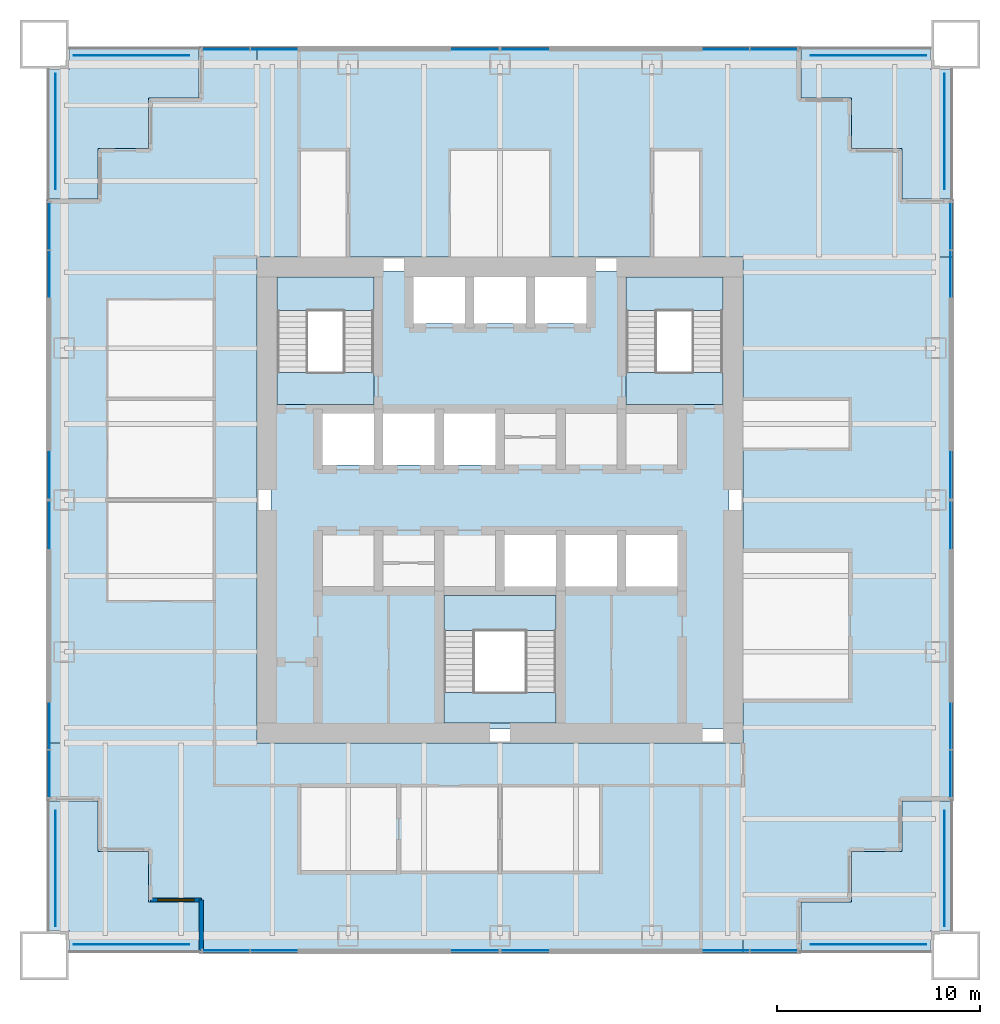
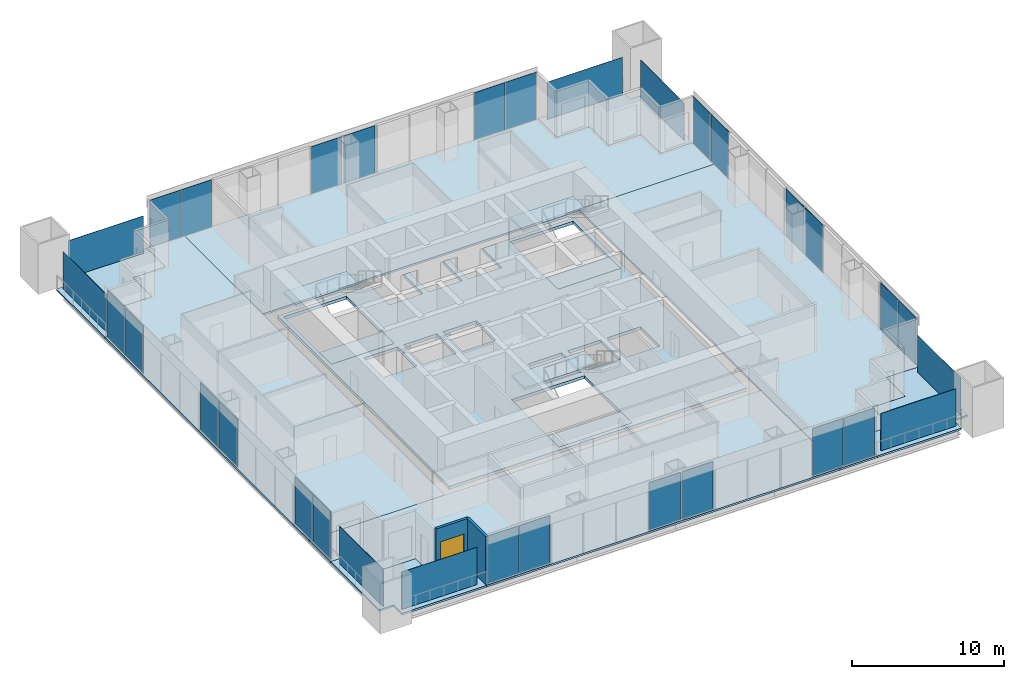
# One storey, part 7 of 13: 32 plates, 15 slabs, 2 walls, 1 window, 1 opening, 19 elements without a shape of their own.
"""IFC4 building model written with IfcOpenShell, lengths in metres."""

from ifc_helpers import new_model, si_unit, direction, frame, frame_2d, origin, origin_2d, place, context, subcontext, project, spatial, polyline, rectangle, outline, extrude, material, layer, layer_set, type_object, element, fill, aggregate, save


model = new_model("IFC4")

# Units and contexts
model_context = context("Model", 3, precision=1e-05, world=origin(), true_north=direction((0.0, 1.0)))
body_context = subcontext(model_context, "Body", "Model", "MODEL_VIEW")
ifc_project = project(units=[si_unit("LENGTHUNIT", "METRE"), si_unit("AREAUNIT", "SQUARE_METRE"), si_unit("VOLUMEUNIT", "CUBIC_METRE"), si_unit("PLANEANGLEUNIT", "RADIAN"), si_unit("MASSUNIT", "GRAM", prefix="KILO")], contexts=[model_context])

# Site, building, storey
site_placement = place(None, origin())
site = spatial("IfcSite", under=ifc_project, at=site_placement, CompositionType="ELEMENT")
building_placement = place(site_placement, origin())
building = spatial("IfcBuilding", under=site, at=building_placement, Name="Tarangal Relay Tower", CompositionType="ELEMENT")
storey_placement = place(building_placement, frame((0.0, 0.0, 237.89990234375)))
storey = spatial("IfcBuildingStorey", under=building, at=storey_placement, Name="L51", CompositionType="ELEMENT", Elevation=237.89990234375)

# Slabs
ifc_material_1 = material(Name="Concrete fc' 35 MPa", Category="concrete")
ifc_layer_1 = layer(ifc_material_1, 0.25)
ifc_layer_set_1 = layer_set([ifc_layer_1], Name="Core floor slab 250")
slab_type_1 = type_object("IfcSlabType", Name="Core floor slab 250", PredefinedType="FLOOR", material=ifc_layer_set_1)
slab_1_placement = place(storey_placement, frame((0.0, 0.0, -0.25)))
element("IfcSlab", 1, at=slab_1_placement, inside=storey, type_object=slab_type_1, Name="Core floor slab L51", PredefinedType="FLOOR", context=body_context, shape_type="SweptSolid", body=[
    extrude(outline(polyline([(11.300048828125, 11.300048828125), (11.300048828125, -11.300048828125), (-11.300048828125, -11.300048828125), (-11.300048828125, 11.300048828125), (-4.27490234375, 11.300048828125), (-4.27490234375, 8.72509765625), (-1.72509765625, 8.72509765625), (-1.72509765625, 11.300048828125), (-1.27490234375, 11.300048828125), (-1.27490234375, 8.72509765625), (1.27490234375, 8.72509765625), (1.27490234375, 11.300048828125), (1.72509765625, 11.300048828125), (1.72509765625, 8.72509765625), (4.27490234375, 8.72509765625), (4.27490234375, 11.300048828125), (11.300048828125, 11.300048828125)]), holes=[polyline([(-6.22509765625, 4.27490234375), (-8.77490234375, 4.27490234375), (-8.77490234375, 1.72509765625), (-6.22509765625, 1.72509765625), (-6.22509765625, 4.27490234375)]), polyline([(-3.22509765625, 1.72509765625), (-3.22509765625, 4.27490234375), (-5.77490234375, 4.27490234375), (-5.77490234375, 1.72509765625), (-3.22509765625, 1.72509765625)]), polyline([(-0.22509765625, 1.72509765625), (-0.22509765625, 4.27490234375), (-2.77490234375, 4.27490234375), (-2.77490234375, 1.72509765625), (-0.22509765625, 1.72509765625)]), polyline([(-6.22509765625, 11.0), (-11.0, 11.0), (-11.0, 4.72509765625), (-6.22509765625, 4.72509765625), (-6.22509765625, 11.0)]), polyline([(2.77490234375, -4.72509765625), (-2.77490234375, -4.72509765625), (-2.77490234375, -11.0), (2.77490234375, -11.0), (2.77490234375, -4.72509765625)]), polyline([(2.77490234375, -4.27490234375), (2.77490234375, -1.72509765625), (0.22509765625, -1.72509765625), (0.22509765625, -4.27490234375), (2.77490234375, -4.27490234375)]), polyline([(5.77490234375, -4.27490234375), (5.77490234375, -1.72509765625), (3.22509765625, -1.72509765625), (3.22509765625, -4.27490234375), (5.77490234375, -4.27490234375)]), polyline([(8.77490234375, -1.72509765625), (6.22509765625, -1.72509765625), (6.22509765625, -4.27490234375), (8.77490234375, -4.27490234375), (8.77490234375, -1.72509765625)]), polyline([(11.0, 4.72509765625), (11.0, 11.0), (6.22509765625, 11.0), (6.22509765625, 4.72509765625), (11.0, 4.72509765625)])]), origin(), (0.0, 0.0, 1.0), 0.25),
])
ifc_layer_2 = layer(ifc_material_1, 0.14990234375)
ifc_layer_set_2 = layer_set([ifc_layer_2], Name="Floor slab 150")
slab_type_2 = type_object("IfcSlabType", Name="Floor slab 150", PredefinedType="FLOOR", material=ifc_layer_set_2)
slab_2_placement = place(storey_placement, frame((0.0, 0.0, -0.14990234375)))
element("IfcSlab", 2, at=slab_2_placement, inside=storey, type_object=slab_type_2, Name="Floor slab FS3 L51 north bay", PredefinedType="FLOOR", context=body_context, shape_type="SweptSolid", body=[
    extrude(outline(polyline([(14.85009765625, 22.35009765625), (14.85009765625, 19.85009765625), (17.35009765625, 19.85009765625), (17.35009765625, 17.35009765625), (19.85009765625, 17.35009765625), (19.85009765625, 14.85009765625), (22.35009765625, 14.85009765625), (22.35009765625, 12.0), (-12.0, 12.0), (-12.0, 22.35009765625), (14.85009765625, 22.35009765625)])), origin(), (0.0, 0.0, 1.0), 0.14990234375),
])
slab_3_placement = place(storey_placement, frame((0.0, 0.0, -0.14990234375)))
element("IfcSlab", 3, at=slab_3_placement, inside=storey, type_object=slab_type_2, Name="Floor slab FS3 L51 east bay", PredefinedType="FLOOR", context=body_context, shape_type="SweptSolid", body=[
    extrude(outline(polyline([(22.35009765625, -14.85009765625), (19.85009765625, -14.85009765625), (19.85009765625, -17.35009765625), (17.35009765625, -17.35009765625), (17.35009765625, -19.85009765625), (14.85009765625, -19.85009765625), (14.85009765625, -22.35009765625), (12.0, -22.35009765625), (12.0, 12.0), (22.35009765625, 12.0), (22.35009765625, -14.85009765625)])), origin(), (0.0, 0.0, 1.0), 0.14990234375),
])
slab_4_placement = place(storey_placement, frame((0.0, 0.0, -0.14990234375)))
element("IfcSlab", 4, at=slab_4_placement, inside=storey, type_object=slab_type_2, Name="Floor slab FS3 L51 south bay", PredefinedType="FLOOR", context=body_context, shape_type="SweptSolid", body=[
    extrude(outline(polyline([(-14.85009765625, -22.35009765625), (-14.85009765625, -19.85009765625), (-17.35009765625, -19.85009765625), (-17.35009765625, -17.35009765625), (-19.85009765625, -17.35009765625), (-19.85009765625, -14.85009765625), (-22.35009765625, -14.85009765625), (-22.35009765625, -12.0), (12.0, -12.0), (12.0, -22.35009765625), (-14.85009765625, -22.35009765625)])), origin(), (0.0, 0.0, 1.0), 0.14990234375),
])
slab_5_placement = place(storey_placement, frame((0.0, 0.0, -0.14990234375)))
element("IfcSlab", 5, at=slab_5_placement, inside=storey, type_object=slab_type_2, Name="Floor slab FS3 L51 west bay", PredefinedType="FLOOR", context=body_context, shape_type="SweptSolid", body=[
    extrude(outline(polyline([(-12.0, 22.35009765625), (-12.0, -12.0), (-22.35009765625, -12.0), (-22.35009765625, 14.85009765625), (-19.85009765625, 14.85009765625), (-19.85009765625, 17.35009765625), (-17.35009765625, 17.35009765625), (-17.35009765625, 19.85009765625), (-14.85009765625, 19.85009765625), (-14.85009765625, 22.35009765625), (-12.0, 22.35009765625)])), origin(), (0.0, 0.0, 1.0), 0.14990234375),
])

# Curtain wall, plates
ifc_material_2 = material(Name="Unitised curtain wall, dark glass and black aluminium", Category="aluminium")
curtain_wall_type = type_object("IfcCurtainWallType", Name="Curtain wall CW-A", PredefinedType="USERDEFINED", material=ifc_material_2)
curtain_wall_1_placement = place(storey_placement, origin())
curtain_wall_1 = element("IfcCurtainWall", 6, at=curtain_wall_1_placement, inside=storey, type_object=curtain_wall_type, Name="Curtain wall CW-A N facade L51", ObjectType="UNITISED CURTAIN WALL", PredefinedType="USERDEFINED")
ifc_material_3 = material(Name="Dark tinted insulated glass unit", Category="glass")
ifc_layer_3 = layer(ifc_material_3, 0.031982421875)
ifc_layer_set_3 = layer_set([ifc_layer_3], Name="Glazed panel CW-A 32")
plate_type_1 = type_object("IfcPlateType", Name="Glazed panel CW-A 32", PredefinedType="CURTAIN_PANEL", material=ifc_layer_set_3)
plate_1_placement = place(storey_placement, frame((-13.525390625, 22.25, 0.06494140625), z_axis=(0.0, 0.0, 1.0), x_axis=(1.0, 0.0, 0.0)))
plate_1 = element("IfcPlate", 7, at=plate_1_placement, type_object=plate_type_1, Name="CW-A panel 1.1", PredefinedType="CURTAIN_PANEL", context=body_context, shape_type="SweptSolid", body=[
    extrude(rectangle(XDim=2.319091796875, YDim=0.031982421875, at=origin_2d()), origin(), (0.0, 0.0, 1.0), 3.784912109375),
])
plate_2_placement = place(storey_placement, frame((-11.141357421875, 22.25, 0.06494140625), z_axis=(0.0, 0.0, 1.0), x_axis=(1.0, 0.0, 0.0)))
plate_2 = element("IfcPlate", 8, at=plate_2_placement, type_object=plate_type_1, Name="CW-A panel 2.1", PredefinedType="CURTAIN_PANEL", context=body_context, shape_type="SweptSolid", body=[
    extrude(rectangle(XDim=2.319091796875, YDim=0.031982421875, at=origin_2d()), origin(), (0.0, 0.0, 1.0), 3.784912109375),
])
aggregate(curtain_wall_1, [plate_1, plate_2])

# Curtain wall, plate
curtain_wall_2_placement = place(storey_placement, origin())
curtain_wall_2 = element("IfcCurtainWall", 9, at=curtain_wall_2_placement, inside=storey, type_object=curtain_wall_type, Name="Curtain wall CW-A N facade L51", ObjectType="UNITISED CURTAIN WALL", PredefinedType="USERDEFINED")
plate_3_placement = place(storey_placement, frame((-1.25, 22.25, 0.06494140625), z_axis=(0.0, 0.0, 1.0), x_axis=(1.0, 0.0, 0.0)))
plate_3 = element("IfcPlate", 10, at=plate_3_placement, type_object=plate_type_1, Name="CW-A panel 1.1", PredefinedType="CURTAIN_PANEL", context=body_context, shape_type="SweptSolid", body=[
    extrude(rectangle(XDim=2.3701171875, YDim=0.031982421875, at=origin_2d()), origin(), (0.0, 0.0, 1.0), 3.784912109375),
])
aggregate(curtain_wall_2, [plate_3])

curtain_wall_3_placement = place(storey_placement, origin())
curtain_wall_3 = element("IfcCurtainWall", 11, at=curtain_wall_3_placement, inside=storey, type_object=curtain_wall_type, Name="Curtain wall CW-A N facade L51", ObjectType="UNITISED CURTAIN WALL", PredefinedType="USERDEFINED")
plate_4_placement = place(storey_placement, frame((1.25, 22.25, 0.06494140625), z_axis=(0.0, 0.0, 1.0), x_axis=(1.0, 0.0, 0.0)))
plate_4 = element("IfcPlate", 12, at=plate_4_placement, type_object=plate_type_1, Name="CW-A panel 1.1", PredefinedType="CURTAIN_PANEL", context=body_context, shape_type="SweptSolid", body=[
    extrude(rectangle(XDim=2.3701171875, YDim=0.031982421875, at=origin_2d()), origin(), (0.0, 0.0, 1.0), 3.784912109375),
])
aggregate(curtain_wall_3, [plate_4])

# Curtain wall, plates
curtain_wall_4_placement = place(storey_placement, origin())
curtain_wall_4 = element("IfcCurtainWall", 13, at=curtain_wall_4_placement, inside=storey, type_object=curtain_wall_type, Name="Curtain wall CW-A N facade L51", ObjectType="UNITISED CURTAIN WALL", PredefinedType="USERDEFINED")
plate_5_placement = place(storey_placement, frame((11.141357421875, 22.25, 0.06494140625), z_axis=(0.0, 0.0, 1.0), x_axis=(1.0, 0.0, 0.0)))
plate_5 = element("IfcPlate", 14, at=plate_5_placement, type_object=plate_type_1, Name="CW-A panel 1.1", PredefinedType="CURTAIN_PANEL", context=body_context, shape_type="SweptSolid", body=[
    extrude(rectangle(XDim=2.319091796875, YDim=0.031982421875, at=origin_2d()), origin(), (0.0, 0.0, 1.0), 3.784912109375),
])
plate_6_placement = place(storey_placement, frame((13.525390625, 22.25, 0.06494140625), z_axis=(0.0, 0.0, 1.0), x_axis=(1.0, 0.0, 0.0)))
plate_6 = element("IfcPlate", 15, at=plate_6_placement, type_object=plate_type_1, Name="CW-A panel 2.1", PredefinedType="CURTAIN_PANEL", context=body_context, shape_type="SweptSolid", body=[
    extrude(rectangle(XDim=2.319091796875, YDim=0.031982421875, at=origin_2d()), origin(), (0.0, 0.0, 1.0), 3.784912109375),
])
aggregate(curtain_wall_4, [plate_5, plate_6])

curtain_wall_5_placement = place(storey_placement, origin())
curtain_wall_5 = element("IfcCurtainWall", 16, at=curtain_wall_5_placement, inside=storey, type_object=curtain_wall_type, Name="Curtain wall CW-A E facade L51", ObjectType="UNITISED CURTAIN WALL", PredefinedType="USERDEFINED")
plate_7_placement = place(storey_placement, frame((22.25, 13.525390625, 0.06494140625), z_axis=(0.0, 0.0, 1.0), x_axis=(0.0, -1.0, 0.0)))
plate_7 = element("IfcPlate", 17, at=plate_7_placement, type_object=plate_type_1, Name="CW-A panel 1.1", PredefinedType="CURTAIN_PANEL", context=body_context, shape_type="SweptSolid", body=[
    extrude(rectangle(XDim=2.319091796875, YDim=0.031982421875, at=origin_2d()), origin(), (0.0, 0.0, 1.0), 3.784912109375),
])
plate_8_placement = place(storey_placement, frame((22.25, 11.141357421875, 0.06494140625), z_axis=(0.0, 0.0, 1.0), x_axis=(0.0, -1.0, 0.0)))
plate_8 = element("IfcPlate", 18, at=plate_8_placement, type_object=plate_type_1, Name="CW-A panel 2.1", PredefinedType="CURTAIN_PANEL", context=body_context, shape_type="SweptSolid", body=[
    extrude(rectangle(XDim=2.319091796875, YDim=0.031982421875, at=origin_2d()), origin(), (0.0, 0.0, 1.0), 3.784912109375),
])
aggregate(curtain_wall_5, [plate_7, plate_8])

# Curtain wall, plate
curtain_wall_6_placement = place(storey_placement, origin())
curtain_wall_6 = element("IfcCurtainWall", 19, at=curtain_wall_6_placement, inside=storey, type_object=curtain_wall_type, Name="Curtain wall CW-A E facade L51", ObjectType="UNITISED CURTAIN WALL", PredefinedType="USERDEFINED")
plate_9_placement = place(storey_placement, frame((22.25, 1.25, 0.06494140625), z_axis=(0.0, 0.0, 1.0), x_axis=(0.0, -1.0, 0.0)))
plate_9 = element("IfcPlate", 20, at=plate_9_placement, type_object=plate_type_1, Name="CW-A panel 1.1", PredefinedType="CURTAIN_PANEL", context=body_context, shape_type="SweptSolid", body=[
    extrude(rectangle(XDim=2.3701171875, YDim=0.031982421875, at=origin_2d()), origin(), (0.0, 0.0, 1.0), 3.784912109375),
])
aggregate(curtain_wall_6, [plate_9])

curtain_wall_7_placement = place(storey_placement, origin())
curtain_wall_7 = element("IfcCurtainWall", 21, at=curtain_wall_7_placement, inside=storey, type_object=curtain_wall_type, Name="Curtain wall CW-A E facade L51", ObjectType="UNITISED CURTAIN WALL", PredefinedType="USERDEFINED")
plate_10_placement = place(storey_placement, frame((22.25, -1.25, 0.06494140625), z_axis=(0.0, 0.0, 1.0), x_axis=(0.0, -1.0, 0.0)))
plate_10 = element("IfcPlate", 22, at=plate_10_placement, type_object=plate_type_1, Name="CW-A panel 1.1", PredefinedType="CURTAIN_PANEL", context=body_context, shape_type="SweptSolid", body=[
    extrude(rectangle(XDim=2.3701171875, YDim=0.031982421875, at=origin_2d()), origin(), (0.0, 0.0, 1.0), 3.784912109375),
])
aggregate(curtain_wall_7, [plate_10])

# Curtain wall, plates
curtain_wall_8_placement = place(storey_placement, origin())
curtain_wall_8 = element("IfcCurtainWall", 23, at=curtain_wall_8_placement, inside=storey, type_object=curtain_wall_type, Name="Curtain wall CW-A E facade L51", ObjectType="UNITISED CURTAIN WALL", PredefinedType="USERDEFINED")
plate_11_placement = place(storey_placement, frame((22.25, -11.141357421875, 0.06494140625), z_axis=(0.0, 0.0, 1.0), x_axis=(0.0, -1.0, 0.0)))
plate_11 = element("IfcPlate", 24, at=plate_11_placement, type_object=plate_type_1, Name="CW-A panel 1.1", PredefinedType="CURTAIN_PANEL", context=body_context, shape_type="SweptSolid", body=[
    extrude(rectangle(XDim=2.319091796875, YDim=0.031982421875, at=origin_2d()), origin(), (0.0, 0.0, 1.0), 3.784912109375),
])
plate_12_placement = place(storey_placement, frame((22.25, -13.525390625, 0.06494140625), z_axis=(0.0, 0.0, 1.0), x_axis=(0.0, -1.0, 0.0)))
plate_12 = element("IfcPlate", 25, at=plate_12_placement, type_object=plate_type_1, Name="CW-A panel 2.1", PredefinedType="CURTAIN_PANEL", context=body_context, shape_type="SweptSolid", body=[
    extrude(rectangle(XDim=2.319091796875, YDim=0.031982421875, at=origin_2d()), origin(), (0.0, 0.0, 1.0), 3.784912109375),
])
aggregate(curtain_wall_8, [plate_11, plate_12])

curtain_wall_9_placement = place(storey_placement, origin())
curtain_wall_9 = element("IfcCurtainWall", 26, at=curtain_wall_9_placement, inside=storey, type_object=curtain_wall_type, Name="Curtain wall CW-A S facade L51", ObjectType="UNITISED CURTAIN WALL", PredefinedType="USERDEFINED")
plate_13_placement = place(storey_placement, frame((13.525390625, -22.25, 0.06494140625), z_axis=(0.0, 0.0, 1.0), x_axis=(-1.0, 0.0, 0.0)))
plate_13 = element("IfcPlate", 27, at=plate_13_placement, type_object=plate_type_1, Name="CW-A panel 1.1", PredefinedType="CURTAIN_PANEL", context=body_context, shape_type="SweptSolid", body=[
    extrude(rectangle(XDim=2.319091796875, YDim=0.031982421875, at=origin_2d()), origin(), (0.0, 0.0, 1.0), 3.784912109375),
])
plate_14_placement = place(storey_placement, frame((11.141357421875, -22.25, 0.06494140625), z_axis=(0.0, 0.0, 1.0), x_axis=(-1.0, 0.0, 0.0)))
plate_14 = element("IfcPlate", 28, at=plate_14_placement, type_object=plate_type_1, Name="CW-A panel 2.1", PredefinedType="CURTAIN_PANEL", context=body_context, shape_type="SweptSolid", body=[
    extrude(rectangle(XDim=2.319091796875, YDim=0.031982421875, at=origin_2d()), origin(), (0.0, 0.0, 1.0), 3.784912109375),
])
aggregate(curtain_wall_9, [plate_13, plate_14])

# Curtain wall, plate
curtain_wall_10_placement = place(storey_placement, origin())
curtain_wall_10 = element("IfcCurtainWall", 29, at=curtain_wall_10_placement, inside=storey, type_object=curtain_wall_type, Name="Curtain wall CW-A S facade L51", ObjectType="UNITISED CURTAIN WALL", PredefinedType="USERDEFINED")
plate_15_placement = place(storey_placement, frame((1.25, -22.25, 0.06494140625), z_axis=(0.0, 0.0, 1.0), x_axis=(-1.0, 0.0, 0.0)))
plate_15 = element("IfcPlate", 30, at=plate_15_placement, type_object=plate_type_1, Name="CW-A panel 1.1", PredefinedType="CURTAIN_PANEL", context=body_context, shape_type="SweptSolid", body=[
    extrude(rectangle(XDim=2.3701171875, YDim=0.031982421875, at=origin_2d()), origin(), (0.0, 0.0, 1.0), 3.784912109375),
])
aggregate(curtain_wall_10, [plate_15])

curtain_wall_11_placement = place(storey_placement, origin())
curtain_wall_11 = element("IfcCurtainWall", 31, at=curtain_wall_11_placement, inside=storey, type_object=curtain_wall_type, Name="Curtain wall CW-A S facade L51", ObjectType="UNITISED CURTAIN WALL", PredefinedType="USERDEFINED")
plate_16_placement = place(storey_placement, frame((-1.25, -22.25, 0.06494140625), z_axis=(0.0, 0.0, 1.0), x_axis=(-1.0, 0.0, 0.0)))
plate_16 = element("IfcPlate", 32, at=plate_16_placement, type_object=plate_type_1, Name="CW-A panel 1.1", PredefinedType="CURTAIN_PANEL", context=body_context, shape_type="SweptSolid", body=[
    extrude(rectangle(XDim=2.3701171875, YDim=0.031982421875, at=origin_2d()), origin(), (0.0, 0.0, 1.0), 3.784912109375),
])
aggregate(curtain_wall_11, [plate_16])

# Curtain wall, plates
curtain_wall_12_placement = place(storey_placement, origin())
curtain_wall_12 = element("IfcCurtainWall", 33, at=curtain_wall_12_placement, inside=storey, type_object=curtain_wall_type, Name="Curtain wall CW-A S facade L51", ObjectType="UNITISED CURTAIN WALL", PredefinedType="USERDEFINED")
plate_17_placement = place(storey_placement, frame((-11.141357421875, -22.25, 0.06494140625), z_axis=(0.0, 0.0, 1.0), x_axis=(-1.0, 0.0, 0.0)))
plate_17 = element("IfcPlate", 34, at=plate_17_placement, type_object=plate_type_1, Name="CW-A panel 1.1", PredefinedType="CURTAIN_PANEL", context=body_context, shape_type="SweptSolid", body=[
    extrude(rectangle(XDim=2.319091796875, YDim=0.031982421875, at=origin_2d()), origin(), (0.0, 0.0, 1.0), 3.784912109375),
])
plate_18_placement = place(storey_placement, frame((-13.525390625, -22.25, 0.06494140625), z_axis=(0.0, 0.0, 1.0), x_axis=(-1.0, 0.0, 0.0)))
plate_18 = element("IfcPlate", 35, at=plate_18_placement, type_object=plate_type_1, Name="CW-A panel 2.1", PredefinedType="CURTAIN_PANEL", context=body_context, shape_type="SweptSolid", body=[
    extrude(rectangle(XDim=2.319091796875, YDim=0.031982421875, at=origin_2d()), origin(), (0.0, 0.0, 1.0), 3.784912109375),
])
aggregate(curtain_wall_12, [plate_17, plate_18])

curtain_wall_13_placement = place(storey_placement, origin())
curtain_wall_13 = element("IfcCurtainWall", 36, at=curtain_wall_13_placement, inside=storey, type_object=curtain_wall_type, Name="Curtain wall CW-A W facade L51", ObjectType="UNITISED CURTAIN WALL", PredefinedType="USERDEFINED")
plate_19_placement = place(storey_placement, frame((-22.25, -13.525390625, 0.06494140625), z_axis=(0.0, 0.0, 1.0), x_axis=(0.0, 1.0, 0.0)))
plate_19 = element("IfcPlate", 37, at=plate_19_placement, type_object=plate_type_1, Name="CW-A panel 1.1", PredefinedType="CURTAIN_PANEL", context=body_context, shape_type="SweptSolid", body=[
    extrude(rectangle(XDim=2.319091796875, YDim=0.031982421875, at=origin_2d()), origin(), (0.0, 0.0, 1.0), 3.784912109375),
])
plate_20_placement = place(storey_placement, frame((-22.25, -11.141357421875, 0.06494140625), z_axis=(0.0, 0.0, 1.0), x_axis=(0.0, 1.0, 0.0)))
plate_20 = element("IfcPlate", 38, at=plate_20_placement, type_object=plate_type_1, Name="CW-A panel 2.1", PredefinedType="CURTAIN_PANEL", context=body_context, shape_type="SweptSolid", body=[
    extrude(rectangle(XDim=2.319091796875, YDim=0.031982421875, at=origin_2d()), origin(), (0.0, 0.0, 1.0), 3.784912109375),
])
aggregate(curtain_wall_13, [plate_19, plate_20])

# Curtain wall, plate
curtain_wall_14_placement = place(storey_placement, origin())
curtain_wall_14 = element("IfcCurtainWall", 39, at=curtain_wall_14_placement, inside=storey, type_object=curtain_wall_type, Name="Curtain wall CW-A W facade L51", ObjectType="UNITISED CURTAIN WALL", PredefinedType="USERDEFINED")
plate_21_placement = place(storey_placement, frame((-22.25, -1.25, 0.06494140625), z_axis=(0.0, 0.0, 1.0), x_axis=(0.0, 1.0, 0.0)))
plate_21 = element("IfcPlate", 40, at=plate_21_placement, type_object=plate_type_1, Name="CW-A panel 1.1", PredefinedType="CURTAIN_PANEL", context=body_context, shape_type="SweptSolid", body=[
    extrude(rectangle(XDim=2.3701171875, YDim=0.031982421875, at=origin_2d()), origin(), (0.0, 0.0, 1.0), 3.784912109375),
])
aggregate(curtain_wall_14, [plate_21])

curtain_wall_15_placement = place(storey_placement, origin())
curtain_wall_15 = element("IfcCurtainWall", 41, at=curtain_wall_15_placement, inside=storey, type_object=curtain_wall_type, Name="Curtain wall CW-A W facade L51", ObjectType="UNITISED CURTAIN WALL", PredefinedType="USERDEFINED")
plate_22_placement = place(storey_placement, frame((-22.25, 1.25, 0.06494140625), z_axis=(0.0, 0.0, 1.0), x_axis=(0.0, 1.0, 0.0)))
plate_22 = element("IfcPlate", 42, at=plate_22_placement, type_object=plate_type_1, Name="CW-A panel 1.1", PredefinedType="CURTAIN_PANEL", context=body_context, shape_type="SweptSolid", body=[
    extrude(rectangle(XDim=2.3701171875, YDim=0.031982421875, at=origin_2d()), origin(), (0.0, 0.0, 1.0), 3.784912109375),
])
aggregate(curtain_wall_15, [plate_22])

# Curtain wall, plates
curtain_wall_16_placement = place(storey_placement, origin())
curtain_wall_16 = element("IfcCurtainWall", 43, at=curtain_wall_16_placement, inside=storey, type_object=curtain_wall_type, Name="Curtain wall CW-A W facade L51", ObjectType="UNITISED CURTAIN WALL", PredefinedType="USERDEFINED")
plate_23_placement = place(storey_placement, frame((-22.25, 11.141357421875, 0.06494140625), z_axis=(0.0, 0.0, 1.0), x_axis=(0.0, 1.0, 0.0)))
plate_23 = element("IfcPlate", 44, at=plate_23_placement, type_object=plate_type_1, Name="CW-A panel 1.1", PredefinedType="CURTAIN_PANEL", context=body_context, shape_type="SweptSolid", body=[
    extrude(rectangle(XDim=2.319091796875, YDim=0.031982421875, at=origin_2d()), origin(), (0.0, 0.0, 1.0), 3.784912109375),
])
plate_24_placement = place(storey_placement, frame((-22.25, 13.525390625, 0.06494140625), z_axis=(0.0, 0.0, 1.0), x_axis=(0.0, 1.0, 0.0)))
plate_24 = element("IfcPlate", 45, at=plate_24_placement, type_object=plate_type_1, Name="CW-A panel 2.1", PredefinedType="CURTAIN_PANEL", context=body_context, shape_type="SweptSolid", body=[
    extrude(rectangle(XDim=2.319091796875, YDim=0.031982421875, at=origin_2d()), origin(), (0.0, 0.0, 1.0), 3.784912109375),
])
aggregate(curtain_wall_16, [plate_23, plate_24])

# Plates
ifc_material_4 = material(Name="Black stainless steel cable trellis with climbing planting", Category="steel")
ifc_layer_4 = layer(ifc_material_4, 0.030029296875)
ifc_layer_set_4 = layer_set([ifc_layer_4], Name="Planted trellis screen")
plate_type_2 = type_object("IfcPlateType", Name="Planted trellis screen", PredefinedType="SHEET", material=ifc_layer_set_4)
for number, where, z_axis, x_axis, name in (
    (46, (21.949951171875, 18.199951171875, 0.0), (0.0, 0.0, 1.0), (0.0, -1.0, 0.0), "Planted trellis SC2 NE L51"),
    (47, (18.199951171875, -21.949951171875, 0.0), (0.0, 0.0, 1.0), (-1.0, 0.0, 0.0), "Planted trellis SC2 SE L51"),
    (48, (-21.949951171875, -18.199951171875, 0.0), (0.0, 0.0, 1.0), (0.0, 1.0, 0.0), "Planted trellis SC2 SW L51"),
    (49, (-18.199951171875, 21.949951171875, 0.0), (0.0, 0.0, 1.0), (1.0, 0.0, 0.0), "Planted trellis SC2 NW L51"),
):
    element("IfcPlate", number, at=place(storey_placement, frame(where, z_axis=z_axis, x_axis=x_axis)), inside=storey, type_object=plate_type_2, Name=name, PredefinedType="SHEET", context=body_context, shape_type="SweptSolid", body=[
        extrude(rectangle(XDim=5.699951171875, YDim=0.030029296875, at=origin_2d()), origin(), (0.0, 0.0, 1.0), 3.0),
    ])

# Stair, slabs
ifc_material_5 = material(Name="Steel ASTM A992 stair flight", Category="steel")
stair_type = type_object("IfcStairType", Name="Core stair 1500", PredefinedType="HALF_TURN_STAIR", material=ifc_material_5)
stair_1_placement = place(storey_placement, origin())
stair_1 = element("IfcStair", 50, at=stair_1_placement, inside=storey, type_object=stair_type, Name="Stair ST-A L51", PredefinedType="HALF_TURN_STAIR")
ifc_layer_5 = layer(ifc_material_1, 0.199951171875)
ifc_layer_set_5 = layer_set([ifc_layer_5], Name="Stair landing 200")
slab_type_3 = type_object("IfcSlabType", Name="Stair landing 200", PredefinedType="LANDING", material=ifc_layer_set_5)
slab_6_placement = place(storey_placement, frame((0.0, 0.0, -0.199951171875)))
slab_6 = element("IfcSlab", 51, at=slab_6_placement, type_object=slab_type_3, Name="ST-A landing 1", PredefinedType="LANDING", context=body_context, shape_type="SweptSolid", body=[
    extrude(outline(polyline([(-11.0, 4.72509765625), (-6.22509765625, 4.72509765625), (-6.22509765625, 6.300048828125), (-11.0, 6.300048828125), (-11.0, 4.72509765625)])), origin(), (0.0, 0.0, 1.0), 0.199951171875),
])
slab_7_placement = place(storey_placement, frame((0.0, 0.0, 1.800048828125)))
slab_7 = element("IfcSlab", 52, at=slab_7_placement, type_object=slab_type_3, Name="ST-A landing 2", PredefinedType="LANDING", context=body_context, shape_type="SweptSolid", body=[
    extrude(outline(polyline([(-11.0, 9.346923828125), (-6.22509765625, 9.346923828125), (-6.22509765625, 11.0), (-11.0, 11.0), (-11.0, 9.346923828125)])), origin(), (0.0, 0.0, 1.0), 0.199951171875),
])
aggregate(stair_1, [slab_6, slab_7])

stair_2_placement = place(storey_placement, origin())
stair_2 = element("IfcStair", 53, at=stair_2_placement, inside=storey, type_object=stair_type, Name="Stair ST-B L51", PredefinedType="HALF_TURN_STAIR")
slab_8_placement = place(storey_placement, frame((0.0, 0.0, -0.199951171875)))
slab_8 = element("IfcSlab", 54, at=slab_8_placement, type_object=slab_type_3, Name="ST-B landing 1", PredefinedType="LANDING", context=body_context, shape_type="SweptSolid", body=[
    extrude(outline(polyline([(6.22509765625, 4.72509765625), (11.0, 4.72509765625), (11.0, 6.300048828125), (6.22509765625, 6.300048828125), (6.22509765625, 4.72509765625)])), origin(), (0.0, 0.0, 1.0), 0.199951171875),
])
slab_9_placement = place(storey_placement, frame((0.0, 0.0, 1.800048828125)))
slab_9 = element("IfcSlab", 55, at=slab_9_placement, type_object=slab_type_3, Name="ST-B landing 2", PredefinedType="LANDING", context=body_context, shape_type="SweptSolid", body=[
    extrude(outline(polyline([(6.22509765625, 9.346923828125), (11.0, 9.346923828125), (11.0, 11.0), (6.22509765625, 11.0), (6.22509765625, 9.346923828125)])), origin(), (0.0, 0.0, 1.0), 0.199951171875),
])
aggregate(stair_2, [slab_8, slab_9])

stair_3_placement = place(storey_placement, origin())
stair_3 = element("IfcStair", 56, at=stair_3_placement, inside=storey, type_object=stair_type, Name="Stair ST-C L51", PredefinedType="HALF_TURN_STAIR")
slab_10_placement = place(storey_placement, frame((0.0, 0.0, -0.199951171875)))
slab_10 = element("IfcSlab", 57, at=slab_10_placement, type_object=slab_type_3, Name="ST-C landing 1", PredefinedType="LANDING", context=body_context, shape_type="SweptSolid", body=[
    extrude(outline(polyline([(-2.77490234375, -11.0), (2.77490234375, -11.0), (2.77490234375, -9.5), (-2.77490234375, -9.5), (-2.77490234375, -11.0)])), origin(), (0.0, 0.0, 1.0), 0.199951171875),
])
slab_11_placement = place(storey_placement, frame((0.0, 0.0, 1.800048828125)))
slab_11 = element("IfcSlab", 58, at=slab_11_placement, type_object=slab_type_3, Name="ST-C landing 2", PredefinedType="LANDING", context=body_context, shape_type="SweptSolid", body=[
    extrude(outline(polyline([(-2.77490234375, -6.452880859375), (2.77490234375, -6.452880859375), (2.77490234375, -4.72509765625), (-2.77490234375, -4.72509765625), (-2.77490234375, -6.452880859375)])), origin(), (0.0, 0.0, 1.0), 0.199951171875),
])
aggregate(stair_3, [slab_10, slab_11])

# Plates
ifc_material_6 = material(Name="Perforated black aluminium screen", Category="aluminium")
ifc_layer_6 = layer(ifc_material_6, 0.02001953125)
ifc_layer_set_6 = layer_set([ifc_layer_6], Name="Terrace screen panel")
plate_type_3 = type_object("IfcPlateType", Name="Terrace screen panel", PredefinedType="SHEET", material=ifc_layer_set_6)
for number, where, z_axis, x_axis, name in (
    (59, (18.199951171875, 21.949951171875, 0.0), (0.0, 0.0, 1.0), (1.0, 0.0, 0.0), "Terrace screen SC1 NE L51"),
    (60, (21.949951171875, -18.199951171875, 0.0), (0.0, 0.0, 1.0), (0.0, -1.0, 0.0), "Terrace screen SC1 SE L51"),
    (61, (-18.199951171875, -21.949951171875, 0.0), (0.0, 0.0, 1.0), (-1.0, 0.0, 0.0), "Terrace screen SC1 SW L51"),
    (62, (-21.949951171875, 18.199951171875, 0.0), (0.0, 0.0, 1.0), (0.0, 1.0, 0.0), "Terrace screen SC1 NW L51"),
):
    element("IfcPlate", number, at=place(storey_placement, frame(where, z_axis=z_axis, x_axis=x_axis)), inside=storey, type_object=plate_type_3, Name=name, PredefinedType="SHEET", context=body_context, shape_type="SweptSolid", body=[
        extrude(rectangle(XDim=5.699951171875, YDim=0.02001953125, at=origin_2d()), origin(), (0.0, 0.0, 1.0), 3.0),
    ])

# Slabs
ifc_layer_7 = layer(ifc_material_1, 0.14990234375)
ifc_layer_set_7 = layer_set([ifc_layer_7], Name="Terrace slab 150")
slab_type_4 = type_object("IfcSlabType", Name="Terrace slab 150", PredefinedType="FLOOR", material=ifc_layer_set_7)
slab_12_placement = place(storey_placement, frame((0.0, 0.0, -0.14990234375)))
element("IfcSlab", 63, at=slab_12_placement, inside=storey, type_object=slab_type_4, Name="Corner terrace NE L51", PredefinedType="FLOOR", context=body_context, shape_type="SweptSolid", body=[
    extrude(outline(polyline([(14.85009765625, 22.35009765625), (14.85009765625, 19.85009765625), (17.35009765625, 19.85009765625), (17.35009765625, 17.35009765625), (19.85009765625, 17.35009765625), (19.85009765625, 14.85009765625), (22.35009765625, 14.85009765625), (22.35009765625, 21.25), (21.25, 21.25), (21.25, 22.35009765625), (14.85009765625, 22.35009765625)])), origin(), (0.0, 0.0, 1.0), 0.14990234375),
])
slab_13_placement = place(storey_placement, frame((0.0, 0.0, -0.14990234375)))
element("IfcSlab", 64, at=slab_13_placement, inside=storey, type_object=slab_type_4, Name="Corner terrace SE L51", PredefinedType="FLOOR", context=body_context, shape_type="SweptSolid", body=[
    extrude(outline(polyline([(22.35009765625, -14.85009765625), (19.85009765625, -14.85009765625), (19.85009765625, -17.35009765625), (17.35009765625, -17.35009765625), (17.35009765625, -19.85009765625), (14.85009765625, -19.85009765625), (14.85009765625, -22.35009765625), (21.25, -22.35009765625), (21.25, -21.25), (22.35009765625, -21.25), (22.35009765625, -14.85009765625)])), origin(), (0.0, 0.0, 1.0), 0.14990234375),
])
slab_14_placement = place(storey_placement, frame((0.0, 0.0, -0.14990234375)))
element("IfcSlab", 65, at=slab_14_placement, inside=storey, type_object=slab_type_4, Name="Corner terrace SW L51", PredefinedType="FLOOR", context=body_context, shape_type="SweptSolid", body=[
    extrude(outline(polyline([(-14.85009765625, -22.35009765625), (-14.85009765625, -19.85009765625), (-17.35009765625, -19.85009765625), (-17.35009765625, -17.35009765625), (-19.85009765625, -17.35009765625), (-19.85009765625, -14.85009765625), (-22.35009765625, -14.85009765625), (-22.35009765625, -21.25), (-21.25, -21.25), (-21.25, -22.35009765625), (-14.85009765625, -22.35009765625)])), origin(), (0.0, 0.0, 1.0), 0.14990234375),
])
slab_15_placement = place(storey_placement, frame((0.0, 0.0, -0.14990234375)))
element("IfcSlab", 66, at=slab_15_placement, inside=storey, type_object=slab_type_4, Name="Corner terrace NW L51", PredefinedType="FLOOR", context=body_context, shape_type="SweptSolid", body=[
    extrude(outline(polyline([(-22.35009765625, 14.85009765625), (-19.85009765625, 14.85009765625), (-19.85009765625, 17.35009765625), (-17.35009765625, 17.35009765625), (-17.35009765625, 19.85009765625), (-14.85009765625, 19.85009765625), (-14.85009765625, 22.35009765625), (-21.25, 22.35009765625), (-21.25, 21.25), (-22.35009765625, 21.25), (-22.35009765625, 14.85009765625)])), origin(), (0.0, 0.0, 1.0), 0.14990234375),
])

# Wall
ifc_material_7 = material(Name="Black metal clad insulated wall", Category="steel")
ifc_layer_8 = layer(ifc_material_7, 0.199951171875)
ifc_layer_set_8 = layer_set([ifc_layer_8], Name="Corner wall metal clad 200")
wall_type = type_object("IfcWallType", Name="Corner wall metal clad 200", PredefinedType="SOLIDWALL", material=ifc_layer_set_8)
wall_1_placement = place(storey_placement, frame((-14.75, -22.25, 0.0), z_axis=(0.0, 0.0, 1.0), x_axis=(0.0, 1.0, 0.0)))
element("IfcWall", 67, at=wall_1_placement, inside=storey, type_object=wall_type, Name="Facade wall S facade L51", PredefinedType="SOLIDWALL", context=body_context, shape_type="SweptSolid", body=[
    extrude(rectangle(XDim=2.5, YDim=0.199951171875, at=frame_2d((1.25, 0.0))), origin(), (0.0, 0.0, 1.0), 3.85009765625),
])

# Wall, opening, window
wall_2_placement = place(storey_placement, frame((-14.75, -19.75, 0.0), z_axis=(0.0, 0.0, 1.0), x_axis=(-1.0, 0.0, 0.0)))
wall_2 = element("IfcWall", 68, at=wall_2_placement, inside=storey, type_object=wall_type, Name="Facade wall S facade L51", PredefinedType="SOLIDWALL", context=body_context, shape_type="SweptSolid", body=[
    extrude(rectangle(XDim=2.5, YDim=0.199951171875, at=frame_2d((1.25, 0.0))), origin(), (0.0, 0.0, 1.0), 3.85009765625),
])
opening_placement = place(wall_2_placement, frame((0.35009765625, 0.0, 0.300048828125)))
opening = element("IfcOpeningElement", 69, at=opening_placement, cuts=wall_2, Name="Opening WN2", PredefinedType="OPENING", context=body_context, shape_type="SweptSolid", body=[
    extrude(rectangle(XDim=1.800048828125, YDim=2.39990234375, at=frame_2d((0.89990234375, 1.199951171875))), frame((0.0, 0.10986328125, 0.0), z_axis=(0.0, -1.0, 0.0), x_axis=(1.0, 0.0, 0.0)), (0.0, 0.0, 1.0), 0.219970703125),
])
ifc_material_8 = material(Name="Dark tinted double glazing in black aluminium frame", Category="aluminium")
window_type = type_object("IfcWindowType", Name="Corner window 1800 x 2400", PartitioningType="SINGLE_PANEL", PredefinedType="WINDOW", material=ifc_material_8)
window_placement = place(opening_placement, origin())
window = element("IfcWindow", 70, at=window_placement, inside=storey, type_object=window_type, Name="Corner window WN2 S facade L51", OverallHeight=2.39990234375, OverallWidth=1.800048828125, PartitioningType="SINGLE_PANEL", PredefinedType="WINDOW", context=body_context, shape_type="SweptSolid", body=[
    extrude(rectangle(XDim=1.800048828125, YDim=2.39990234375, at=frame_2d((0.89990234375, 1.199951171875))), frame((0.0, 0.030029296875, 0.0), z_axis=(0.0, -1.0, 0.0), x_axis=(1.0, 0.0, 0.0)), (0.0, 0.0, 1.0), 0.06005859375),
])
fill(opening, window)

save(model, "model.ifc")
